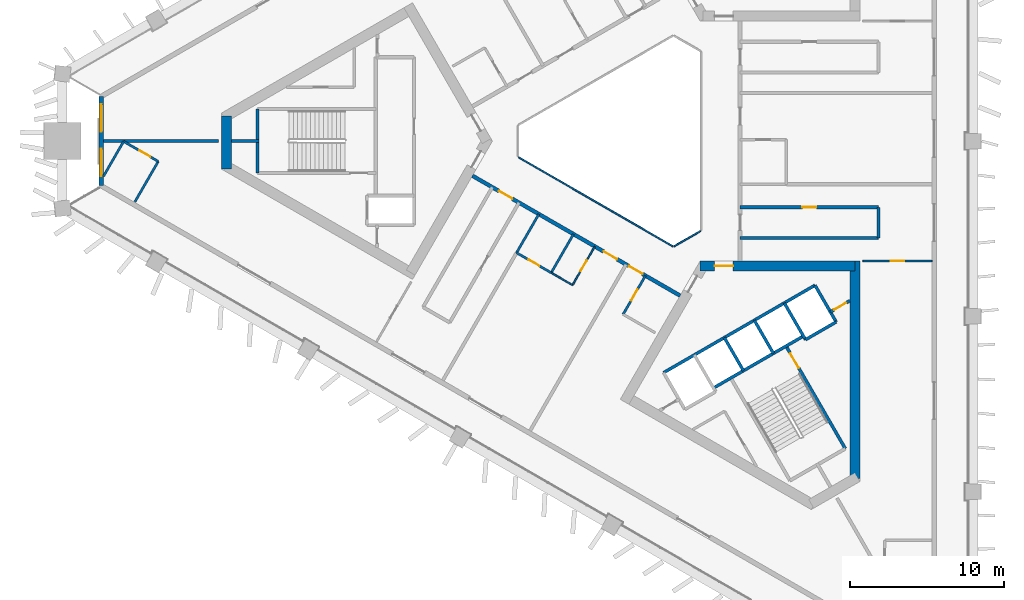
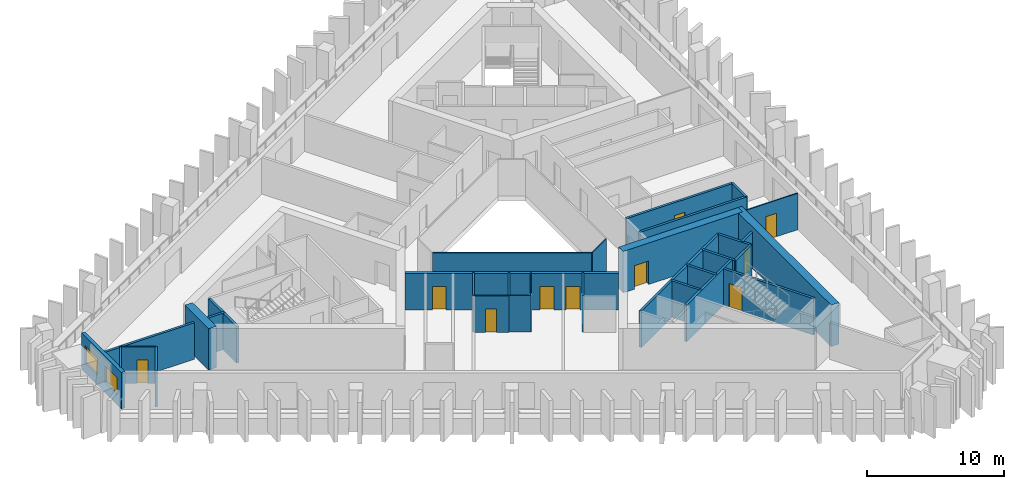
# One storey, part 3 of 10: 32 walls, 12 doors, 2 windows, 14 openings.
"""IFC4 building model written with IfcOpenShell, lengths in metres."""

from ifc_helpers import new_model, si_unit, direction, frame, frame_2d, origin, place, context, subcontext, project, spatial, rectangle, extrude, material, layer, layer_set, type_object, element, fill, save


model = new_model("IFC4")

# Units and contexts
model_context = context("Model", 3, precision=1e-05, world=origin(), true_north=direction((0.0, 1.0)))
body_context = subcontext(model_context, "Body", "Model", "MODEL_VIEW")
ifc_project = project(units=[si_unit("LENGTHUNIT", "METRE"), si_unit("AREAUNIT", "SQUARE_METRE"), si_unit("VOLUMEUNIT", "CUBIC_METRE"), si_unit("PLANEANGLEUNIT", "RADIAN"), si_unit("MASSUNIT", "GRAM", prefix="KILO")], contexts=[model_context])

# Site, building, storey
site_placement = place(None, origin())
site = spatial("IfcSite", under=ifc_project, at=site_placement, CompositionType="ELEMENT")
building_placement = place(site_placement, origin())
building = spatial("IfcBuilding", under=site, at=building_placement, Name="Jabali Bay Hotel Tower and Convention Centre", CompositionType="ELEMENT")
storey_placement = place(building_placement, frame((0.0, 0.0, 117.89990234375)))
storey = spatial("IfcBuildingStorey", under=building, at=storey_placement, Name="L28", CompositionType="ELEMENT", Elevation=117.89990234375)

# Walls
ifc_material_1 = material(Name="Fire-resistant glazing", Category="glass")
ifc_layer_1 = layer(ifc_material_1, 0.10009765625)
ifc_layer_set_1 = layer_set([ifc_layer_1], Name="Fire-resistant glazing")
wall_type_1 = type_object("IfcWallType", Name="Atrium glazed screen 100", PredefinedType="PARTITIONING", material=ifc_layer_set_1)
wall_1_placement = place(storey_placement, frame((67.7021484375, 78.947998046875, 0.0), z_axis=(0.0, 0.0, 1.0), x_axis=(0.866026658274, -0.499997827154, 0.0)))
element("IfcWall", 1, at=wall_1_placement, inside=storey, type_object=wall_type_1, Name="Atrium screen 5 L28", PredefinedType="PARTITIONING", context=body_context, shape_type="SweptSolid", body=[
    extrude(rectangle(XDim=11.58837890625, YDim=0.10009765625, at=frame_2d((5.794189453125, 0.0))), origin(), (0.0, 0.0, 1.0), 3.25),
])
wall_2_placement = place(storey_placement, frame((77.7978515625, 73.15380859375, 0.0), z_axis=(0.0, 0.0, 1.0), x_axis=(0.866041268327, 0.499972520799, 0.0)))
element("IfcWall", 2, at=wall_2_placement, inside=storey, type_object=wall_type_1, Name="Atrium screen 6 L28", PredefinedType="PARTITIONING", context=body_context, shape_type="SweptSolid", body=[
    extrude(rectangle(XDim=2.0, YDim=0.10009765625, at=frame_2d((1.0, 0.0))), origin(), (0.0, 0.0, 1.0), 3.25),
])
ifc_material_2 = material(Name="Concrete C40", Category="concrete")
ifc_layer_2 = layer(ifc_material_2, 0.199951171875)
ifc_layer_set_2 = layer_set([ifc_layer_2], Name="Concrete C40")
wall_type_2 = type_object("IfcWallType", Name="Core partition wall 200", PredefinedType="PARTITIONING", material=ifc_layer_set_2)
wall_3_placement = place(storey_placement, frame((50.820068359375, 80.0, 0.0), z_axis=(0.0, 0.0, 1.0), x_axis=(-1.0, 0.0, 0.0)))
element("IfcWall", 3, at=wall_3_placement, inside=storey, type_object=wall_type_2, Name="Core wall 0.3 L28", PredefinedType="PARTITIONING", context=body_context, shape_type="SweptSolid", body=[
    extrude(rectangle(XDim=1.773193359375, YDim=0.199951171875, at=frame_2d((0.88671875, 0.0))), origin(), (0.0, 0.0, 1.0), 3.25),
])

# Wall, opening, door
wall_4_placement = place(storey_placement, frame((87.964599609375, 68.89453125, 0.0), z_axis=(0.0, 0.0, 1.0), x_axis=(0.866054810376, 0.49994906283, 0.0)))
wall_4 = element("IfcWall", 4, at=wall_4_placement, inside=storey, type_object=wall_type_2, Name="Core wall 2.12 L28", PredefinedType="PARTITIONING", context=body_context, shape_type="SweptSolid", body=[
    extrude(rectangle(XDim=1.461181640625, YDim=0.199951171875, at=frame_2d((0.73046875, 0.0))), origin(), (0.0, 0.0, 1.0), 3.25),
])
opening_1_placement = place(wall_4_placement, frame((0.280517578125, 0.0, 0.0)))
opening_1 = element("IfcOpeningElement", 5, at=opening_1_placement, cuts=wall_4, Name="Opening D636", PredefinedType="OPENING", context=body_context, shape_type="SweptSolid", body=[
    extrude(rectangle(XDim=0.89990234375, YDim=2.10009765625, at=frame_2d((0.449951171875, 1.050048828125))), frame((0.0, 0.1103515625, 0.0), z_axis=(0.0, -1.0, 0.0), x_axis=(1.0, 0.0, 0.0)), (0.0, 0.0, 1.0), 0.220947265625),
])
ifc_material_3 = material(Name="Fire-rated steel door", Category="steel")
door_type_1 = type_object("IfcDoorType", Name="Vestibule fire door 900 x 2100", OperationType="NOTDEFINED", PredefinedType="NOTDEFINED", material=ifc_material_3)
door_1_placement = place(opening_1_placement, origin())
door_1 = element("IfcDoor", 6, at=door_1_placement, inside=storey, type_object=door_type_1, Name="Vestibule fire door D636", OperationType="SINGLE_SWING_LEFT", OverallHeight=2.10009765625, OverallWidth=0.89990234375, PredefinedType="NOTDEFINED", context=body_context, shape_type="SweptSolid", body=[
    extrude(rectangle(XDim=0.89990234375, YDim=2.10009765625, at=frame_2d((0.449951171875, 1.050048828125))), frame((0.0, 0.02490234375, 0.0), z_axis=(0.0, -1.0, 0.0), x_axis=(1.0, 0.0, 0.0)), (0.0, 0.0, 1.0), 0.050048828125),
])
fill(opening_1, door_1)

# Walls
ifc_layer_3 = layer(ifc_material_2, 0.199951171875)
ifc_layer_set_3 = layer_set([ifc_layer_3], Name="Concrete C40")
wall_type_3 = type_object("IfcWallType", Name="Core stair wall 200", PredefinedType="SOLIDWALL", material=ifc_layer_set_3)
wall_5_placement = place(storey_placement, frame((50.719970703125, 82.074951171875, 0.0), z_axis=(0.0, 0.0, 1.0), x_axis=(0.0, -1.0, 0.0)))
element("IfcWall", 7, at=wall_5_placement, inside=storey, type_object=wall_type_3, Name="Core wall 0.13 L28", PredefinedType="SOLIDWALL", context=body_context, shape_type="SweptSolid", body=[
    extrude(rectangle(XDim=4.14990234375, YDim=0.199951171875, at=frame_2d((2.074951171875, 0.0))), origin(), (0.0, 0.0, 1.0), 3.25),
])
for number, where, z_axis, x_axis, name in (
    (8, (81.07568359375, 67.2265625, 0.0), (0.0, 0.0, 1.0), (0.50000366821, -0.866023285932, 0.0), "Core wall 2.4 L28"),
    (9, (83.024169921875, 68.3515625, 0.0), (0.0, 0.0, 1.0), (0.50000366821, -0.866023285932, 0.0), "Core wall 2.6 L28"),
):
    element("IfcWall", number, at=place(storey_placement, frame(where, z_axis=z_axis, x_axis=x_axis)), inside=storey, type_object=wall_type_3, Name=name, PredefinedType="SOLIDWALL", context=body_context, shape_type="SweptSolid", body=[
        extrude(rectangle(XDim=2.47998046875, YDim=0.199951171875, at=frame_2d((1.239990234375, 0.0))), origin(), (0.0, 0.0, 1.0), 3.25),
    ])

# Wall, opening, door
wall_6_placement = place(storey_placement, frame((85.0869140625, 66.6787109375, 0.0), z_axis=(0.0, 0.0, 1.0), x_axis=(0.500019787375, -0.866013979237, 0.0)))
wall_6 = element("IfcWall", 10, at=wall_6_placement, inside=storey, type_object=wall_type_3, Name="Core wall 2.7 L28", PredefinedType="SOLIDWALL", context=body_context, shape_type="SweptSolid", body=[
    extrude(rectangle(XDim=7.699951171875, YDim=0.199951171875, at=frame_2d((3.85009765625, 0.0))), origin(), (0.0, 0.0, 1.0), 3.25),
])
opening_2_placement = place(wall_6_placement, frame((0.550048828125, 0.0, 0.0)))
opening_2 = element("IfcOpeningElement", 11, at=opening_2_placement, cuts=wall_6, Name="Opening D638", PredefinedType="OPENING", context=body_context, shape_type="SweptSolid", body=[
    extrude(rectangle(XDim=1.10009765625, YDim=2.10009765625, at=frame_2d((0.550048828125, 1.050048828125))), frame((0.0, 0.1103515625, 0.0), z_axis=(0.0, -1.0, 0.0), x_axis=(1.0, 0.0, 0.0)), (0.0, 0.0, 1.0), 0.220947265625),
])
door_type_2 = type_object("IfcDoorType", Name="Stair fire door 1100 x 2100", OperationType="NOTDEFINED", PredefinedType="NOTDEFINED", material=ifc_material_3)
door_2_placement = place(opening_2_placement, origin())
door_2 = element("IfcDoor", 12, at=door_2_placement, inside=storey, type_object=door_type_2, Name="Stair fire door D638", OperationType="SINGLE_SWING_RIGHT", OverallHeight=2.10009765625, OverallWidth=1.10009765625, PredefinedType="NOTDEFINED", context=body_context, shape_type="SweptSolid", body=[
    extrude(rectangle(XDim=1.10009765625, YDim=2.10009765625, at=frame_2d((0.550048828125, 1.050048828125))), frame((0.0, 0.02490234375, 0.0), z_axis=(0.0, -1.0, 0.0), x_axis=(1.0, 0.0, 0.0)), (0.0, 0.0, 1.0), 0.050048828125),
])
fill(opening_2, door_2)

# Walls
for number, where, z_axis, x_axis, name in (
    (13, (84.972900390625, 69.4765625, 0.0), (0.0, 0.0, 1.0), (0.499996545922, -0.866027397988, 0.0), "Core wall 2.8 L28"),
    (14, (86.964599609375, 70.62646484375, 0.0), (0.0, 0.0, 1.0), (0.499996545922, -0.866027397988, 0.0), "Core wall 2.9 L28"),
):
    element("IfcWall", number, at=place(storey_placement, frame(where, z_axis=z_axis, x_axis=x_axis)), inside=storey, type_object=wall_type_3, Name=name, PredefinedType="SOLIDWALL", context=body_context, shape_type="SweptSolid", body=[
        extrude(rectangle(XDim=2.75, YDim=0.199951171875, at=frame_2d((1.375, 0.0))), origin(), (0.0, 0.0, 1.0), 3.25),
    ])
wall_7_placement = place(storey_placement, frame((77.13525390625, 64.95166015625, 0.0), z_axis=(0.0, 0.0, 1.0), x_axis=(0.866031916153, 0.499988720078, 0.0)))
element("IfcWall", 15, at=wall_7_placement, inside=storey, type_object=wall_type_3, Name="Core wall 2.10 L28", PredefinedType="SOLIDWALL", context=body_context, shape_type="SweptSolid", body=[
    extrude(rectangle(XDim=11.349853515625, YDim=0.199951171875, at=frame_2d((5.6748046875, 0.0))), origin(), (0.0, 0.0, 1.0), 3.25),
])
wall_8_placement = place(storey_placement, frame((80.3671875, 63.953857421875, 0.0), z_axis=(0.0, 0.0, 1.0), x_axis=(0.866026575979, 0.499997969693, 0.0)))
element("IfcWall", 16, at=wall_8_placement, inside=storey, type_object=wall_type_3, Name="Core wall 2.13 L28", PredefinedType="SOLIDWALL", context=body_context, shape_type="SweptSolid", body=[
    extrude(rectangle(XDim=6.75, YDim=0.199951171875, at=frame_2d((3.375, 0.0))), origin(), (0.0, 0.0, 1.0), 3.25),
])
wall_9_placement = place(storey_placement, frame((86.347900390625, 67.094970703125, 0.0), z_axis=(0.0, 0.0, 1.0), x_axis=(0.86602648383, 0.499998129301, 0.0)))
element("IfcWall", 17, at=wall_9_placement, inside=storey, type_object=wall_type_3, Name="Core wall 2.15 L28", PredefinedType="SOLIDWALL", context=body_context, shape_type="SweptSolid", body=[
    extrude(rectangle(XDim=2.2998046875, YDim=0.199951171875, at=frame_2d((1.14990234375, 0.0))), origin(), (0.0, 0.0, 1.0), 3.25),
])
ifc_material_4 = material(Name="Concrete C60", Category="concrete")
ifc_layer_4 = layer(ifc_material_4, 0.64990234375)
ifc_layer_set_4 = layer_set([ifc_layer_4], Name="Concrete C60")
wall_type_4 = type_object("IfcWallType", Name="Core wall 650", PredefinedType="SHEAR", material=ifc_layer_set_4)
wall_10_placement = place(storey_placement, frame((48.721923828125, 81.635009765625, 0.0), z_axis=(0.0, 0.0, 1.0), x_axis=(0.0, -1.0, 0.0)))
element("IfcWall", 18, at=wall_10_placement, inside=storey, type_object=wall_type_4, Name="Core wall 1.3 L28", PredefinedType="SHEAR", context=body_context, shape_type="SweptSolid", body=[
    extrude(rectangle(XDim=3.457763671875, YDim=0.64990234375, at=frame_2d((1.72900390625, 0.0))), origin(), (0.0, 0.0, 1.0), 3.7001953125),
])
wall_11_placement = place(storey_placement, frame((89.554931640625, 58.06005859375, 0.0), z_axis=(0.0, 0.0, 1.0), x_axis=(0.0, 1.0, 0.0)))
element("IfcWall", 19, at=wall_11_placement, inside=storey, type_object=wall_type_4, Name="Core wall 3.4 L28", PredefinedType="SHEAR", context=body_context, shape_type="SweptSolid", body=[
    extrude(rectangle(XDim=14.145751953125, YDim=0.64990234375, at=frame_2d((7.07275390625, 0.0))), origin(), (0.0, 0.0, 1.0), 3.7001953125),
])

# Wall, opening, door
wall_12_placement = place(storey_placement, frame((89.554931640625, 71.880859375, 0.0), z_axis=(0.0, 0.0, 1.0), x_axis=(-1.0, 0.0, 0.0)))
wall_12 = element("IfcWall", 20, at=wall_12_placement, inside=storey, type_object=wall_type_4, Name="Core wall 3.5 L28", PredefinedType="SHEAR", context=body_context, shape_type="SweptSolid", body=[
    extrude(rectangle(XDim=10.054931640625, YDim=0.64990234375, at=frame_2d((5.02734375, 0.0))), origin(), (0.0, 0.0, 1.0), 3.7001953125),
])
opening_3_placement = place(wall_12_placement, frame((7.905029296875, 0.0, 0.0)))
opening_3 = element("IfcOpeningElement", 21, at=opening_3_placement, cuts=wall_12, Name="Opening D635", PredefinedType="OPENING", context=body_context, shape_type="SweptSolid", body=[
    extrude(rectangle(XDim=1.199951171875, YDim=2.10009765625, at=frame_2d((0.60009765625, 1.050048828125))), frame((0.0, 0.33544921875, 0.0), z_axis=(0.0, -1.0, 0.0), x_axis=(1.0, 0.0, 0.0)), (0.0, 0.0, 1.0), 0.6708984375),
])
door_type_3 = type_object("IfcDoorType", Name="Corridor end fire door 1200 x 2100", OperationType="NOTDEFINED", PredefinedType="NOTDEFINED", material=ifc_material_3)
door_3_placement = place(opening_3_placement, origin())
door_3 = element("IfcDoor", 22, at=door_3_placement, inside=storey, type_object=door_type_3, Name="Corridor end fire door D635", OperationType="SINGLE_SWING_LEFT", OverallHeight=2.10009765625, OverallWidth=1.199951171875, PredefinedType="NOTDEFINED", context=body_context, shape_type="SweptSolid", body=[
    extrude(rectangle(XDim=1.199951171875, YDim=2.10009765625, at=frame_2d((0.60009765625, 1.050048828125))), frame((0.0, 0.02490234375, 0.0), z_axis=(0.0, -1.0, 0.0), x_axis=(1.0, 0.0, 0.0)), (0.0, 0.0, 1.0), 0.050048828125),
])
fill(opening_3, door_3)

# Wall, openings, doors
ifc_layer_5 = layer(ifc_material_4, 0.25)
ifc_layer_set_5 = layer_set([ifc_layer_5], Name="Concrete C60")
wall_type_5 = type_object("IfcWallType", Name="Corridor wall 250", PredefinedType="SHEAR", material=ifc_layer_set_5)
wall_13_placement = place(storey_placement, frame((64.699951171875, 77.748291015625, 0.0), z_axis=(0.0, 0.0, 1.0), x_axis=(0.866026492143, -0.499998114903, 0.0)))
wall_13 = element("IfcWall", 23, at=wall_13_placement, inside=storey, type_object=wall_type_5, Name="Corridor wall 3 L28", PredefinedType="SHEAR", context=body_context, shape_type="SweptSolid", body=[
    extrude(rectangle(XDim=15.58837890625, YDim=0.25, at=frame_2d((7.794189453125, 0.0))), origin(), (0.0, 0.0, 1.0), 3.25),
])
opening_4_placement = place(wall_13_placement, frame((1.994140625, 0.0, 0.0)))
opening_4 = element("IfcOpeningElement", 24, at=opening_4_placement, cuts=wall_13, Name="Opening 2817", PredefinedType="OPENING", context=body_context, shape_type="SweptSolid", body=[
    extrude(rectangle(XDim=1.0, YDim=2.10009765625, at=frame_2d((0.5, 1.050048828125))), frame((0.0, 0.135498046875, 0.0), z_axis=(0.0, -1.0, 0.0), x_axis=(1.0, 0.0, 0.0)), (0.0, 0.0, 1.0), 0.27099609375),
])
opening_5_placement = place(wall_13_placement, frame((9.86181640625, 0.0, 0.0)))
opening_5 = element("IfcOpeningElement", 25, at=opening_5_placement, cuts=wall_13, Name="Opening 2823", PredefinedType="OPENING", context=body_context, shape_type="SweptSolid", body=[
    extrude(rectangle(XDim=1.0, YDim=2.10009765625, at=frame_2d((0.5, 1.050048828125))), frame((0.0, 0.135498046875, 0.0), z_axis=(0.0, -1.0, 0.0), x_axis=(1.0, 0.0, 0.0)), (0.0, 0.0, 1.0), 0.27099609375),
])
opening_6_placement = place(wall_13_placement, frame((11.761962890625, 0.0, 0.0)))
opening_6 = element("IfcOpeningElement", 26, at=opening_6_placement, cuts=wall_13, Name="Opening 2825", PredefinedType="OPENING", context=body_context, shape_type="SweptSolid", body=[
    extrude(rectangle(XDim=1.0, YDim=2.10009765625, at=frame_2d((0.5, 1.050048828125))), frame((0.0, 0.135498046875, 0.0), z_axis=(0.0, -1.0, 0.0), x_axis=(1.0, 0.0, 0.0)), (0.0, 0.0, 1.0), 0.27099609375),
])
ifc_material_5 = material(Name="Timber", Category="wood")
door_type_4 = type_object("IfcDoorType", Name="Guest room door 1000 x 2100", OperationType="NOTDEFINED", PredefinedType="NOTDEFINED", material=ifc_material_5)
door_4_placement = place(opening_4_placement, origin())
door_4 = element("IfcDoor", 27, at=door_4_placement, inside=storey, type_object=door_type_4, Name="Door 2817", OperationType="SINGLE_SWING_LEFT", OverallHeight=2.10009765625, OverallWidth=1.0, PredefinedType="NOTDEFINED", context=body_context, shape_type="SweptSolid", body=[
    extrude(rectangle(XDim=1.0, YDim=2.10009765625, at=frame_2d((0.5, 1.050048828125))), frame((0.0, 0.02490234375, 0.0), z_axis=(0.0, -1.0, 0.0), x_axis=(1.0, 0.0, 0.0)), (0.0, 0.0, 1.0), 0.050048828125),
])
fill(opening_4, door_4)
door_5_placement = place(opening_5_placement, origin())
door_5 = element("IfcDoor", 28, at=door_5_placement, inside=storey, type_object=door_type_4, Name="Door 2823", OperationType="SINGLE_SWING_RIGHT", OverallHeight=2.10009765625, OverallWidth=1.0, PredefinedType="NOTDEFINED", context=body_context, shape_type="SweptSolid", body=[
    extrude(rectangle(XDim=1.0, YDim=2.10009765625, at=frame_2d((0.5, 1.050048828125))), frame((0.0, 0.02490234375, 0.0), z_axis=(0.0, -1.0, 0.0), x_axis=(1.0, 0.0, 0.0)), (0.0, 0.0, 1.0), 0.050048828125),
])
fill(opening_5, door_5)
door_6_placement = place(opening_6_placement, origin())
door_6 = element("IfcDoor", 29, at=door_6_placement, inside=storey, type_object=door_type_4, Name="Door 2825", OperationType="SINGLE_SWING_RIGHT", OverallHeight=2.10009765625, OverallWidth=1.0, PredefinedType="NOTDEFINED", context=body_context, shape_type="SweptSolid", body=[
    extrude(rectangle(XDim=1.0, YDim=2.10009765625, at=frame_2d((0.5, 1.050048828125))), frame((0.0, 0.02490234375, 0.0), z_axis=(0.0, -1.0, 0.0), x_axis=(1.0, 0.0, 0.0)), (0.0, 0.0, 1.0), 0.050048828125),
])
fill(opening_6, door_6)

# Wall, openings, windows
ifc_layer_6 = layer(ifc_material_2, 0.300048828125)
ifc_layer_set_6 = layer_set([ifc_layer_6], Name="Concrete C40")
wall_type_6 = type_object("IfcWallType", Name="External wall 300", PredefinedType="SOLIDWALL", material=ifc_layer_set_6)
wall_14_placement = place(storey_placement, frame((40.57568359375, 77.09814453125, 0.0), z_axis=(0.0, 0.0, 1.0), x_axis=(0.0, 1.0, 0.0)))
wall_14 = element("IfcWall", 30, at=wall_14_placement, inside=storey, type_object=wall_type_6, Name="External wall west chamfer L28", PredefinedType="SOLIDWALL", context=body_context, shape_type="SweptSolid", body=[
    extrude(rectangle(XDim=5.8037109375, YDim=0.300048828125, at=frame_2d((2.90185546875, 0.0))), origin(), (0.0, 0.0, 1.0), 3.25),
])
opening_7_placement = place(wall_14_placement, frame((0.601318359375, 0.0, 0.89990234375)))
opening_7 = element("IfcOpeningElement", 31, at=opening_7_placement, cuts=wall_14, Name="Opening W1", PredefinedType="OPENING", context=body_context, shape_type="SweptSolid", body=[
    extrude(rectangle(XDim=1.800048828125, YDim=1.5, at=frame_2d((0.89990234375, 0.75))), frame((0.0, 0.16064453125, 0.0), z_axis=(0.0, -1.0, 0.0), x_axis=(1.0, 0.0, 0.0)), (0.0, 0.0, 1.0), 0.321044921875),
])
opening_8_placement = place(wall_14_placement, frame((3.495849609375, 0.0, 0.89990234375)))
opening_8 = element("IfcOpeningElement", 32, at=opening_8_placement, cuts=wall_14, Name="Opening W1", PredefinedType="OPENING", context=body_context, shape_type="SweptSolid", body=[
    extrude(rectangle(XDim=1.800048828125, YDim=1.5, at=frame_2d((0.89990234375, 0.75))), frame((0.0, 0.16064453125, 0.0), z_axis=(0.0, -1.0, 0.0), x_axis=(1.0, 0.0, 0.0)), (0.0, 0.0, 1.0), 0.321044921875),
])
ifc_material_6 = material(Name="Glass", Category="glass")
window_type = type_object("IfcWindowType", Name="Window 1800 x 1500", PartitioningType="SINGLE_PANEL", PredefinedType="WINDOW", material=ifc_material_6)
window_1_placement = place(opening_7_placement, origin())
window_1 = element("IfcWindow", 33, at=window_1_placement, inside=storey, type_object=window_type, Name="Window 2809", OverallHeight=1.5, OverallWidth=1.800048828125, PartitioningType="SINGLE_PANEL", PredefinedType="WINDOW", context=body_context, shape_type="SweptSolid", body=[
    extrude(rectangle(XDim=1.800048828125, YDim=1.5, at=frame_2d((0.89990234375, 0.75))), frame((0.0, 0.030029296875, 0.0), z_axis=(0.0, -1.0, 0.0), x_axis=(1.0, 0.0, 0.0)), (0.0, 0.0, 1.0), 0.06005859375),
])
fill(opening_7, window_1)
window_2_placement = place(opening_8_placement, origin())
window_2 = element("IfcWindow", 34, at=window_2_placement, inside=storey, type_object=window_type, Name="Window 2808", OverallHeight=1.5, OverallWidth=1.800048828125, PartitioningType="SINGLE_PANEL", PredefinedType="WINDOW", context=body_context, shape_type="SweptSolid", body=[
    extrude(rectangle(XDim=1.800048828125, YDim=1.5, at=frame_2d((0.89990234375, 0.75))), frame((0.0, 0.030029296875, 0.0), z_axis=(0.0, -1.0, 0.0), x_axis=(1.0, 0.0, 0.0)), (0.0, 0.0, 1.0), 0.06005859375),
])
fill(opening_8, window_2)

# Wall, opening, door
ifc_material_7 = material(Name="Plasterboard on steel stud", Category="steel")
ifc_layer_7 = layer(ifc_material_7, 0.10009765625)
ifc_layer_set_7 = layer_set([ifc_layer_7], Name="Plasterboard on steel stud")
wall_type_7 = type_object("IfcWallType", Name="Partition 100 unit", PredefinedType="PARTITIONING", material=ifc_layer_set_7)
wall_15_placement = place(storey_placement, frame((90.0791015625, 72.205810546875, 0.0), z_axis=(0.0, 0.0, 1.0), x_axis=(1.0, 0.0, 0.0)))
wall_15 = element("IfcWall", 35, at=wall_15_placement, inside=storey, type_object=wall_type_7, Name="Partition P02 L28 001", PredefinedType="PARTITIONING", context=body_context, shape_type="SweptSolid", body=[
    extrude(rectangle(XDim=4.497314453125, YDim=0.10009765625, at=frame_2d((2.24853515625, 0.0))), origin(), (0.0, 0.0, 1.0), 3.25),
])
opening_9_placement = place(wall_15_placement, frame((1.799072265625, 0.0, 0.0)))
opening_9 = element("IfcOpeningElement", 36, at=opening_9_placement, cuts=wall_15, Name="Opening 2802", PredefinedType="OPENING", context=body_context, shape_type="SweptSolid", body=[
    extrude(rectangle(XDim=0.89990234375, YDim=2.10009765625, at=frame_2d((0.449951171875, 1.050048828125))), frame((0.0, 0.060546875, 0.0), z_axis=(0.0, -1.0, 0.0), x_axis=(1.0, 0.0, 0.0)), (0.0, 0.0, 1.0), 0.12109375),
])
door_type_5 = type_object("IfcDoorType", Name="Internal door 900 x 2100", OperationType="NOTDEFINED", PredefinedType="NOTDEFINED", material=ifc_material_5)
door_7_placement = place(opening_9_placement, origin())
door_7 = element("IfcDoor", 37, at=door_7_placement, inside=storey, type_object=door_type_5, Name="Door 2802", OperationType="SINGLE_SWING_RIGHT", OverallHeight=2.10009765625, OverallWidth=0.89990234375, PredefinedType="NOTDEFINED", context=body_context, shape_type="SweptSolid", body=[
    extrude(rectangle(XDim=0.89990234375, YDim=2.10009765625, at=frame_2d((0.449951171875, 1.050048828125))), frame((0.0, 0.02490234375, 0.0), z_axis=(0.0, -1.0, 0.0), x_axis=(1.0, 0.0, 0.0)), (0.0, 0.0, 1.0), 0.050048828125),
])
fill(opening_9, door_7)

wall_16_placement = place(storey_placement, frame((72.6572265625, 73.154296875, 0.0), z_axis=(0.0, 0.0, 1.0), x_axis=(-0.499987231761, -0.866032775405, 0.0)))
wall_16 = element("IfcWall", 38, at=wall_16_placement, inside=storey, type_object=wall_type_7, Name="Partition P02 L28 041", PredefinedType="PARTITIONING", context=body_context, shape_type="SweptSolid", body=[
    extrude(rectangle(XDim=2.89990234375, YDim=0.10009765625, at=frame_2d((1.449951171875, 0.0))), origin(), (0.0, 0.0, 1.0), 3.25),
])
opening_10_placement = place(wall_16_placement, frame((1.050048828125, 0.0, 0.0)))
opening_10 = element("IfcOpeningElement", 39, at=opening_10_placement, cuts=wall_16, Name="Opening 2822", PredefinedType="OPENING", context=body_context, shape_type="SweptSolid", body=[
    extrude(rectangle(XDim=0.800048828125, YDim=2.10009765625, at=frame_2d((0.39990234375, 1.050048828125))), frame((0.0, 0.060546875, 0.0), z_axis=(0.0, -1.0, 0.0), x_axis=(1.0, 0.0, 0.0)), (0.0, 0.0, 1.0), 0.12109375),
])
door_type_6 = type_object("IfcDoorType", Name="Dressing room door 800 x 2100", OperationType="NOTDEFINED", PredefinedType="NOTDEFINED", material=ifc_material_5)
door_8_placement = place(opening_10_placement, origin())
door_8 = element("IfcDoor", 40, at=door_8_placement, inside=storey, type_object=door_type_6, Name="Door 2822", OperationType="SINGLE_SWING_RIGHT", OverallHeight=2.10009765625, OverallWidth=0.800048828125, PredefinedType="NOTDEFINED", context=body_context, shape_type="SweptSolid", body=[
    extrude(rectangle(XDim=0.800048828125, YDim=2.10009765625, at=frame_2d((0.39990234375, 1.050048828125))), frame((0.0, 0.02490234375, 0.0), z_axis=(0.0, -1.0, 0.0), x_axis=(1.0, 0.0, 0.0)), (0.0, 0.0, 1.0), 0.050048828125),
])
fill(opening_10, door_8)

# Walls
wall_17_placement = place(storey_placement, frame((71.207275390625, 70.642822265625, 0.0), z_axis=(0.0, 0.0, 1.0), x_axis=(-0.866055983265, 0.499947031044, 0.0)))
element("IfcWall", 41, at=wall_17_placement, inside=storey, type_object=wall_type_7, Name="Partition P02 L28 042", PredefinedType="PARTITIONING", context=body_context, shape_type="SweptSolid", body=[
    extrude(rectangle(XDim=1.599853515625, YDim=0.10009765625, at=frame_2d((0.7998046875, 0.0))), origin(), (0.0, 0.0, 1.0), 3.25),
])
ifc_layer_8 = layer(ifc_material_7, 0.14990234375)
ifc_layer_set_8 = layer_set([ifc_layer_8], Name="Plasterboard on steel stud")
wall_type_8 = type_object("IfcWallType", Name="Partition 150 wet", PredefinedType="PARTITIONING", material=ifc_layer_set_8)
wall_18_placement = place(storey_placement, frame((67.570068359375, 72.74267578125, 0.0), z_axis=(0.0, 0.0, 1.0), x_axis=(0.499987231761, 0.866032775405, 0.0)))
element("IfcWall", 42, at=wall_18_placement, inside=storey, type_object=wall_type_8, Name="Partition P03 L28 036", PredefinedType="PARTITIONING", context=body_context, shape_type="SweptSolid", body=[
    extrude(rectangle(XDim=2.89990234375, YDim=0.14990234375, at=frame_2d((1.449951171875, 0.0))), origin(), (0.0, 0.0, 1.0), 3.25),
])
wall_19_placement = place(storey_placement, frame((40.724609375, 77.7177734375, 0.0), z_axis=(0.0, 0.0, 1.0), x_axis=(0.499938163277, 0.86606110229, 0.0)))
element("IfcWall", 43, at=wall_19_placement, inside=storey, type_object=wall_type_8, Name="Partition P03 L28 037", PredefinedType="PARTITIONING", context=body_context, shape_type="SweptSolid", body=[
    extrude(rectangle(XDim=2.612548828125, YDim=0.14990234375, at=frame_2d((1.30615234375, 0.0))), origin(), (0.0, 0.0, 1.0), 3.25),
])

# Wall, opening, door
wall_20_placement = place(storey_placement, frame((42.03076171875, 79.98046875, 0.0), z_axis=(0.0, 0.0, 1.0), x_axis=(0.866021400173, -0.500006934395, 0.0)))
wall_20 = element("IfcWall", 44, at=wall_20_placement, inside=storey, type_object=wall_type_8, Name="Partition P03 L28 038", PredefinedType="PARTITIONING", context=body_context, shape_type="SweptSolid", body=[
    extrude(rectangle(XDim=2.60009765625, YDim=0.14990234375, at=frame_2d((1.300048828125, 0.0))), origin(), (0.0, 0.0, 1.0), 3.25),
])
opening_11_placement = place(wall_20_placement, frame((1.199951171875, 0.0, 0.0)))
opening_11 = element("IfcOpeningElement", 45, at=opening_11_placement, cuts=wall_20, Name="Opening 2819", PredefinedType="OPENING", context=body_context, shape_type="SweptSolid", body=[
    extrude(rectangle(XDim=0.800048828125, YDim=2.10009765625, at=frame_2d((0.39990234375, 1.050048828125))), frame((0.0, 0.08544921875, 0.0), z_axis=(0.0, -1.0, 0.0), x_axis=(1.0, 0.0, 0.0)), (0.0, 0.0, 1.0), 0.1708984375),
])
door_type_7 = type_object("IfcDoorType", Name="En-suite door 800 x 2100", OperationType="NOTDEFINED", PredefinedType="NOTDEFINED", material=ifc_material_5)
door_9_placement = place(opening_11_placement, origin())
door_9 = element("IfcDoor", 46, at=door_9_placement, inside=storey, type_object=door_type_7, Name="Door 2819", OperationType="SINGLE_SWING_RIGHT", OverallHeight=2.10009765625, OverallWidth=0.800048828125, PredefinedType="NOTDEFINED", context=body_context, shape_type="SweptSolid", body=[
    extrude(rectangle(XDim=0.800048828125, YDim=2.10009765625, at=frame_2d((0.39990234375, 1.050048828125))), frame((0.0, 0.02490234375, 0.0), z_axis=(0.0, -1.0, 0.0), x_axis=(1.0, 0.0, 0.0)), (0.0, 0.0, 1.0), 0.050048828125),
])
fill(opening_11, door_9)

# Wall
wall_21_placement = place(storey_placement, frame((44.282470703125, 78.680419921875, 0.0), z_axis=(0.0, 0.0, 1.0), x_axis=(-0.49997322687, -0.866040860707, 0.0)))
element("IfcWall", 47, at=wall_21_placement, inside=storey, type_object=wall_type_8, Name="Partition P03 L28 039", PredefinedType="PARTITIONING", context=body_context, shape_type="SweptSolid", body=[
    extrude(rectangle(XDim=3.033935546875, YDim=0.14990234375, at=frame_2d((1.51708984375, 0.0))), origin(), (0.0, 0.0, 1.0), 3.25),
])

# Wall, opening, door
wall_22_placement = place(storey_placement, frame((69.82177734375, 71.442626953125, 0.0), z_axis=(0.0, 0.0, 1.0), x_axis=(-0.866021400173, 0.500006934395, 0.0)))
wall_22 = element("IfcWall", 48, at=wall_22_placement, inside=storey, type_object=wall_type_8, Name="Partition P03 L28 040", PredefinedType="PARTITIONING", context=body_context, shape_type="SweptSolid", body=[
    extrude(rectangle(XDim=2.60009765625, YDim=0.14990234375, at=frame_2d((1.300048828125, 0.0))), origin(), (0.0, 0.0, 1.0), 3.25),
])
opening_12_placement = place(wall_22_placement, frame((0.89990234375, 0.0, 0.0)))
opening_12 = element("IfcOpeningElement", 49, at=opening_12_placement, cuts=wall_22, Name="Opening 2821", PredefinedType="OPENING", context=body_context, shape_type="SweptSolid", body=[
    extrude(rectangle(XDim=0.800048828125, YDim=2.10009765625, at=frame_2d((0.39990234375, 1.050048828125))), frame((0.0, 0.08544921875, 0.0), z_axis=(0.0, -1.0, 0.0), x_axis=(1.0, 0.0, 0.0)), (0.0, 0.0, 1.0), 0.1708984375),
])
door_10_placement = place(opening_12_placement, origin())
door_10 = element("IfcDoor", 50, at=door_10_placement, inside=storey, type_object=door_type_7, Name="Door 2821", OperationType="SINGLE_SWING_RIGHT", OverallHeight=2.10009765625, OverallWidth=0.800048828125, PredefinedType="NOTDEFINED", context=body_context, shape_type="SweptSolid", body=[
    extrude(rectangle(XDim=0.800048828125, YDim=2.10009765625, at=frame_2d((0.39990234375, 1.050048828125))), frame((0.0, 0.02490234375, 0.0), z_axis=(0.0, -1.0, 0.0), x_axis=(1.0, 0.0, 0.0)), (0.0, 0.0, 1.0), 0.050048828125),
])
fill(opening_12, door_10)

# Wall
wall_23_placement = place(storey_placement, frame((69.82177734375, 71.442626953125, 0.0), z_axis=(0.0, 0.0, 1.0), x_axis=(0.499987231761, 0.866032775405, 0.0)))
element("IfcWall", 51, at=wall_23_placement, inside=storey, type_object=wall_type_8, Name="Partition P03 L28 044", PredefinedType="PARTITIONING", context=body_context, shape_type="SweptSolid", body=[
    extrude(rectangle(XDim=2.89990234375, YDim=0.14990234375, at=frame_2d((1.449951171875, 0.0))), origin(), (0.0, 0.0, 1.0), 3.25),
])

# Wall, opening, door
wall_24_placement = place(storey_placement, frame((74.498291015625, 68.74267578125, 0.0), z_axis=(0.0, 0.0, 1.0), x_axis=(0.499987231761, 0.866032775405, 0.0)))
wall_24 = element("IfcWall", 52, at=wall_24_placement, inside=storey, type_object=wall_type_8, Name="Partition P03 L28 046", PredefinedType="PARTITIONING", context=body_context, shape_type="SweptSolid", body=[
    extrude(rectangle(XDim=2.89990234375, YDim=0.14990234375, at=frame_2d((1.449951171875, 0.0))), origin(), (0.0, 0.0, 1.0), 3.25),
])
opening_13_placement = place(wall_24_placement, frame((1.050048828125, 0.0, 0.0)))
opening_13 = element("IfcOpeningElement", 53, at=opening_13_placement, cuts=wall_24, Name="Opening 2824", PredefinedType="OPENING", context=body_context, shape_type="SweptSolid", body=[
    extrude(rectangle(XDim=0.800048828125, YDim=2.10009765625, at=frame_2d((0.39990234375, 1.050048828125))), frame((0.0, 0.08544921875, 0.0), z_axis=(0.0, -1.0, 0.0), x_axis=(1.0, 0.0, 0.0)), (0.0, 0.0, 1.0), 0.1708984375),
])
door_11_placement = place(opening_13_placement, origin())
door_11 = element("IfcDoor", 54, at=door_11_placement, inside=storey, type_object=door_type_7, Name="Door 2824", OperationType="SINGLE_SWING_RIGHT", OverallHeight=2.10009765625, OverallWidth=0.800048828125, PredefinedType="NOTDEFINED", context=body_context, shape_type="SweptSolid", body=[
    extrude(rectangle(XDim=0.800048828125, YDim=2.10009765625, at=frame_2d((0.39990234375, 1.050048828125))), frame((0.0, 0.02490234375, 0.0), z_axis=(0.0, -1.0, 0.0), x_axis=(1.0, 0.0, 0.0)), (0.0, 0.0, 1.0), 0.050048828125),
])
fill(opening_13, door_11)

ifc_layer_9 = layer(ifc_material_7, 0.199951171875)
ifc_layer_set_9 = layer_set([ifc_layer_9], Name="Plasterboard on steel stud")
wall_type_9 = type_object("IfcWallType", Name="Partition 200 party", PredefinedType="PARTITIONING", material=ifc_layer_set_9)
wall_25_placement = place(storey_placement, frame((82.10009765625, 75.699951171875, 0.0), z_axis=(0.0, 0.0, 1.0), x_axis=(1.0, 0.0, 0.0)))
wall_25 = element("IfcWall", 55, at=wall_25_placement, inside=storey, type_object=wall_type_9, Name="Partition P01 L28 002", PredefinedType="PARTITIONING", context=body_context, shape_type="SweptSolid", body=[
    extrude(rectangle(XDim=9.0, YDim=0.199951171875, at=frame_2d((4.5, 0.0))), origin(), (0.0, 0.0, 1.0), 3.25),
])
opening_14_placement = place(wall_25_placement, frame((4.050048828125, 0.0, 0.0)))
opening_14 = element("IfcOpeningElement", 56, at=opening_14_placement, cuts=wall_25, Name="Opening 2804", PredefinedType="OPENING", context=body_context, shape_type="SweptSolid", body=[
    extrude(rectangle(XDim=0.89990234375, YDim=2.10009765625, at=frame_2d((0.449951171875, 1.050048828125))), frame((0.0, 0.1103515625, 0.0), z_axis=(0.0, -1.0, 0.0), x_axis=(1.0, 0.0, 0.0)), (0.0, 0.0, 1.0), 0.220947265625),
])
door_12_placement = place(opening_14_placement, origin())
door_12 = element("IfcDoor", 57, at=door_12_placement, inside=storey, type_object=door_type_5, Name="Door 2804", OperationType="SINGLE_SWING_RIGHT", OverallHeight=2.10009765625, OverallWidth=0.89990234375, PredefinedType="NOTDEFINED", context=body_context, shape_type="SweptSolid", body=[
    extrude(rectangle(XDim=0.89990234375, YDim=2.10009765625, at=frame_2d((0.449951171875, 1.050048828125))), frame((0.0, 0.02490234375, 0.0), z_axis=(0.0, -1.0, 0.0), x_axis=(1.0, 0.0, 0.0)), (0.0, 0.0, 1.0), 0.050048828125),
])
fill(opening_14, door_12)

# Walls
wall_26_placement = place(storey_placement, frame((91.10009765625, 75.699951171875, 0.0), z_axis=(0.0, 0.0, 1.0), x_axis=(0.0, -1.0, 0.0)))
element("IfcWall", 58, at=wall_26_placement, inside=storey, type_object=wall_type_9, Name="Partition P01 L28 003", PredefinedType="PARTITIONING", context=body_context, shape_type="SweptSolid", body=[
    extrude(rectangle(XDim=2.0, YDim=0.199951171875, at=frame_2d((1.0, 0.0))), origin(), (0.0, 0.0, 1.0), 3.25),
])
wall_27_placement = place(storey_placement, frame((91.10009765625, 73.699951171875, 0.0), z_axis=(0.0, 0.0, 1.0), x_axis=(-1.0, 0.0, 0.0)))
element("IfcWall", 59, at=wall_27_placement, inside=storey, type_object=wall_type_9, Name="Partition P01 L28 004", PredefinedType="PARTITIONING", context=body_context, shape_type="SweptSolid", body=[
    extrude(rectangle(XDim=9.0, YDim=0.199951171875, at=frame_2d((4.5, 0.0))), origin(), (0.0, 0.0, 1.0), 3.25),
])
wall_28_placement = place(storey_placement, frame((40.724609375, 80.0, 0.0), z_axis=(0.0, 0.0, 1.0), x_axis=(1.0, 0.0, 0.0)))
element("IfcWall", 60, at=wall_28_placement, inside=storey, type_object=wall_type_9, Name="Partition P01 L28 030", PredefinedType="PARTITIONING", context=body_context, shape_type="SweptSolid", body=[
    extrude(rectangle(XDim=7.473388671875, YDim=0.199951171875, at=frame_2d((3.73681640625, 0.0))), origin(), (0.0, 0.0, 1.0), 3.25),
])

save(model, "model.ifc")
